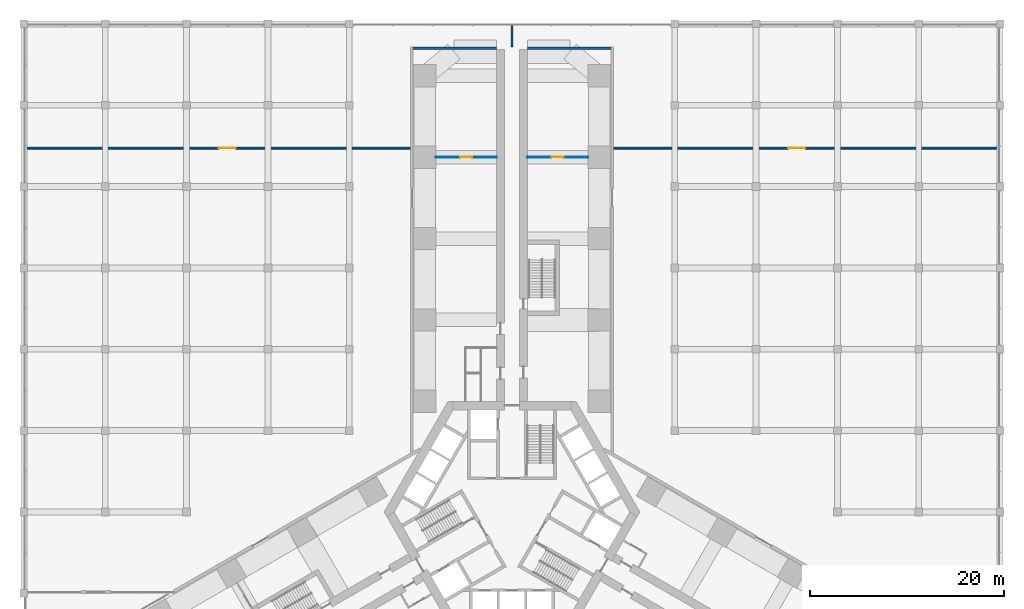
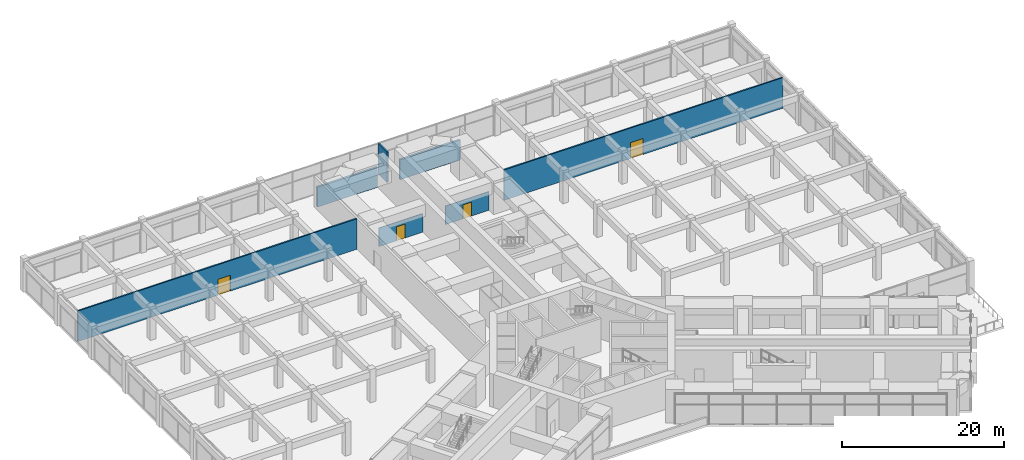
# One storey, part 31 of 33: 7 walls, 4 doors, 4 openings.
"""IFC4 building model written with IfcOpenShell, lengths in metres."""

from ifc_helpers import new_model, si_unit, direction, frame, frame_2d, origin, place, context, subcontext, project, spatial, rectangle, extrude, material, layer, layer_set, type_object, element, fill, save


model = new_model("IFC4")

# Units and contexts
model_context = context("Model", 3, precision=1e-05, world=origin(), true_north=direction((0.0, 1.0)))
body_context = subcontext(model_context, "Body", "Model", "MODEL_VIEW")
ifc_project = project(units=[si_unit("LENGTHUNIT", "METRE"), si_unit("AREAUNIT", "SQUARE_METRE"), si_unit("VOLUMEUNIT", "CUBIC_METRE"), si_unit("PLANEANGLEUNIT", "RADIAN"), si_unit("MASSUNIT", "GRAM", prefix="KILO")], contexts=[model_context])

# Site, building, storey
site_placement = place(None, origin())
site = spatial("IfcSite", under=ifc_project, at=site_placement, CompositionType="ELEMENT")
building_placement = place(site_placement, origin())
building = spatial("IfcBuilding", under=site, at=building_placement, Name="Impinga Residences", CompositionType="ELEMENT")
storey_placement = place(building_placement, frame((0.0, 0.0, 21.0)))
storey = spatial("IfcBuildingStorey", under=building, at=storey_placement, Name="L04", CompositionType="ELEMENT", Elevation=21.0)

# Wall, opening, door
ifc_material_1 = material(Name="Concrete blockwork", Category="masonry")
ifc_layer_1 = layer(ifc_material_1, 0.10009765625)
ifc_layer_set_1 = layer_set([ifc_layer_1], Name="CP1 core room partition, blockwork 100")
wall_type_1 = type_object("IfcWallType", Name="CP1 core room partition, blockwork 100", PredefinedType="PARTITIONING", material=ifc_layer_set_1)
wall_1_placement = place(storey_placement, frame((-1.60009765625, 36.631591796875, 0.0), z_axis=(0.0, 0.0, 1.0), x_axis=(-1.0, 0.0, 0.0)))
wall_1 = element("IfcWall", 1, at=wall_1_placement, inside=storey, type_object=wall_type_1, Name="Core room partition, blockwork L04-NA1:PS1", PredefinedType="PARTITIONING", context=body_context, shape_type="SweptSolid", body=[
    extrude(rectangle(XDim=6.25, YDim=0.10009765625, at=frame_2d((3.125, 0.0))), origin(), (0.0, 0.0, 1.0), 2.800048828125),
])
opening_1_placement = place(wall_1_placement, frame((2.52490234375, 0.0, 0.0)))
opening_1 = element("IfcOpeningElement", 2, at=opening_1_placement, cuts=wall_1, Name="Opening D3", PredefinedType="OPENING", context=body_context, shape_type="SweptSolid", body=[
    extrude(rectangle(XDim=1.199951171875, YDim=2.10009765625, at=frame_2d((0.60009765625, 1.050048828125))), frame((0.0, 0.06005859375, 0.0), z_axis=(0.0, -1.0, 0.0), x_axis=(1.0, 0.0, 0.0)), (0.0, 0.0, 1.0), 0.1201171875),
])
ifc_material_2 = material(Name="Timber door set", Category="wood")
door_type_1 = type_object("IfcDoorType", Name="D3 room door, leaf and a half 1200x2100", OperationType="DOUBLE_SWING_LEFT", PredefinedType="DOOR", material=ifc_material_2)
door_1_placement = place(opening_1_placement, origin())
door_1 = element("IfcDoor", 3, at=door_1_placement, inside=storey, type_object=door_type_1, Name="Private dining room door L04-NA1", OperationType="DOUBLE_SWING_LEFT", OverallHeight=2.10009765625, OverallWidth=1.199951171875, PredefinedType="DOOR", context=body_context, shape_type="SweptSolid", body=[
    extrude(rectangle(XDim=1.199951171875, YDim=2.10009765625, at=frame_2d((0.60009765625, 1.050048828125))), frame((0.0, 0.02490234375, 0.0), z_axis=(0.0, -1.0, 0.0), x_axis=(1.0, 0.0, 0.0)), (0.0, 0.0, 1.0), 0.050048828125),
])
fill(opening_1, door_1)

wall_2_placement = place(storey_placement, frame((1.60009765625, 36.631591796875, 0.0), z_axis=(0.0, 0.0, 1.0), x_axis=(1.0, 0.0, 0.0)))
wall_2 = element("IfcWall", 4, at=wall_2_placement, inside=storey, type_object=wall_type_1, Name="Core room partition, blockwork L04-NF1:PS1", PredefinedType="PARTITIONING", context=body_context, shape_type="SweptSolid", body=[
    extrude(rectangle(XDim=6.25, YDim=0.10009765625, at=frame_2d((3.125, 0.0))), origin(), (0.0, 0.0, 1.0), 2.800048828125),
])
opening_2_placement = place(wall_2_placement, frame((2.52490234375, 0.0, 0.0)))
opening_2 = element("IfcOpeningElement", 5, at=opening_2_placement, cuts=wall_2, Name="Opening D3", PredefinedType="OPENING", context=body_context, shape_type="SweptSolid", body=[
    extrude(rectangle(XDim=1.199951171875, YDim=2.10009765625, at=frame_2d((0.60009765625, 1.050048828125))), frame((0.0, 0.06005859375, 0.0), z_axis=(0.0, -1.0, 0.0), x_axis=(1.0, 0.0, 0.0)), (0.0, 0.0, 1.0), 0.1201171875),
])
door_2_placement = place(opening_2_placement, origin())
door_2 = element("IfcDoor", 6, at=door_2_placement, inside=storey, type_object=door_type_1, Name="Private dining room door L04-NF1", OperationType="DOUBLE_SWING_LEFT", OverallHeight=2.10009765625, OverallWidth=1.199951171875, PredefinedType="DOOR", context=body_context, shape_type="SweptSolid", body=[
    extrude(rectangle(XDim=1.199951171875, YDim=2.10009765625, at=frame_2d((0.60009765625, 1.050048828125))), frame((0.0, 0.02490234375, 0.0), z_axis=(0.0, -1.0, 0.0), x_axis=(1.0, 0.0, 0.0)), (0.0, 0.0, 1.0), 0.050048828125),
])
fill(opening_2, door_2)

# Wall
ifc_layer_2 = layer(ifc_material_1, 0.199951171875)
ifc_layer_set_2 = layer_set([ifc_layer_2], Name="PW2 podium compartment wall 200")
wall_type_2 = type_object("IfcWallType", Name="PW2 podium compartment wall 200", PredefinedType="SOLIDWALL", material=ifc_layer_set_2)
wall_3_placement = place(storey_placement, frame((0.0, 48.031494140625, 0.0), z_axis=(0.0, 0.0, 1.0), x_axis=(0.0, 1.0, 0.0)))
element("IfcWall", 7, at=wall_3_placement, inside=storey, type_object=wall_type_2, Name="Podium compartment wall L04:REG:N", PredefinedType="SOLIDWALL", context=body_context, shape_type="SweptSolid", body=[
    extrude(rectangle(XDim=2.175537109375, YDim=0.199951171875, at=frame_2d((1.087890625, 0.0))), origin(), (0.0, 0.0, 1.0), 4.60009765625),
])

# Wall, opening, door
wall_4_placement = place(storey_placement, frame((10.5, 37.56396484375, 0.0), z_axis=(0.0, 0.0, 1.0), x_axis=(1.0, 0.0, 0.0)))
wall_4 = element("IfcWall", 8, at=wall_4_placement, inside=storey, type_object=wall_type_2, Name="Podium compartment wall L04:REG:NE:SPLIT", PredefinedType="SOLIDWALL", context=body_context, shape_type="SweptSolid", body=[
    extrude(rectangle(XDim=39.737060546875, YDim=0.199951171875, at=frame_2d((19.86865234375, 0.0))), origin(), (0.0, 0.0, 1.0), 4.60009765625),
])
opening_3_placement = place(wall_4_placement, frame((18.0, 0.0, 0.0)))
opening_3 = element("IfcOpeningElement", 9, at=opening_3_placement, cuts=wall_4, Name="Opening D7", PredefinedType="OPENING", context=body_context, shape_type="SweptSolid", body=[
    extrude(rectangle(XDim=1.800048828125, YDim=2.39990234375, at=frame_2d((0.89990234375, 1.199951171875))), frame((0.0, 0.10986328125, 0.0), z_axis=(0.0, -1.0, 0.0), x_axis=(1.0, 0.0, 0.0)), (0.0, 0.0, 1.0), 0.219970703125),
])
door_type_2 = type_object("IfcDoorType", Name="D7 podium door pair 1800x2400", OperationType="DOUBLE_DOOR_DOUBLE_SWING", PredefinedType="DOOR", material=ifc_material_2)
door_3_placement = place(opening_3_placement, origin())
door_3 = element("IfcDoor", 10, at=door_3_placement, inside=storey, type_object=door_type_2, Name="Double door Residents' lounge", OperationType="DOUBLE_DOOR_DOUBLE_SWING", OverallHeight=2.39990234375, OverallWidth=1.800048828125, PredefinedType="DOOR", context=body_context, shape_type="SweptSolid", body=[
    extrude(rectangle(XDim=1.800048828125, YDim=2.39990234375, at=frame_2d((0.89990234375, 1.199951171875))), frame((0.0, 0.02490234375, 0.0), z_axis=(0.0, -1.0, 0.0), x_axis=(1.0, 0.0, 0.0)), (0.0, 0.0, 1.0), 0.050048828125),
])
fill(opening_3, door_3)

wall_5_placement = place(storey_placement, frame((-50.237060546875, 37.56396484375, 0.0), z_axis=(0.0, 0.0, 1.0), x_axis=(1.0, 0.0, 0.0)))
wall_5 = element("IfcWall", 11, at=wall_5_placement, inside=storey, type_object=wall_type_2, Name="Podium compartment wall L04:REG:NW:SPLIT", PredefinedType="SOLIDWALL", context=body_context, shape_type="SweptSolid", body=[
    extrude(rectangle(XDim=39.737060546875, YDim=0.199951171875, at=frame_2d((19.86865234375, 0.0))), origin(), (0.0, 0.0, 1.0), 4.60009765625),
])
opening_4_placement = place(wall_5_placement, frame((19.93701171875, 0.0, 0.0)))
opening_4 = element("IfcOpeningElement", 12, at=opening_4_placement, cuts=wall_5, Name="Opening D7", PredefinedType="OPENING", context=body_context, shape_type="SweptSolid", body=[
    extrude(rectangle(XDim=1.800048828125, YDim=2.39990234375, at=frame_2d((0.89990234375, 1.199951171875))), frame((0.0, 0.10986328125, 0.0), z_axis=(0.0, -1.0, 0.0), x_axis=(1.0, 0.0, 0.0)), (0.0, 0.0, 1.0), 0.219970703125),
])
door_4_placement = place(opening_4_placement, origin())
door_4 = element("IfcDoor", 13, at=door_4_placement, inside=storey, type_object=door_type_2, Name="Double door Games room", OperationType="DOUBLE_DOOR_DOUBLE_SWING", OverallHeight=2.39990234375, OverallWidth=1.800048828125, PredefinedType="DOOR", context=body_context, shape_type="SweptSolid", body=[
    extrude(rectangle(XDim=1.800048828125, YDim=2.39990234375, at=frame_2d((0.89990234375, 1.199951171875))), frame((0.0, 0.02490234375, 0.0), z_axis=(0.0, -1.0, 0.0), x_axis=(1.0, 0.0, 0.0)), (0.0, 0.0, 1.0), 0.050048828125),
])
fill(opening_4, door_4)

# Walls
ifc_layer_3 = layer(ifc_material_1, 0.300048828125)
ifc_layer_set_3 = layer_set([ifc_layer_3], Name="PW3 podium wall on the wing face 300")
wall_type_3 = type_object("IfcWallType", Name="PW3 podium wall on the wing face 300", PredefinedType="SOLIDWALL", material=ifc_layer_set_3)
for number, where, z_axis, x_axis, name in (
    (14, (-1.60009765625, 47.881591796875, 0.0), (0.0, 0.0, 1.0), (-1.0, 0.0, 0.0), "Podium wall on the wing face L04:END:NA"),
    (15, (1.60009765625, 47.881591796875, 0.0), (0.0, 0.0, 1.0), (1.0, 0.0, 0.0), "Podium wall on the wing face L04:END:NF"),
):
    element("IfcWall", number, at=place(storey_placement, frame(where, z_axis=z_axis, x_axis=x_axis)), inside=storey, type_object=wall_type_3, Name=name, PredefinedType="SOLIDWALL", context=body_context, shape_type="SweptSolid", body=[
        extrude(rectangle(XDim=8.599853515625, YDim=0.300048828125, at=frame_2d((4.2998046875, 0.0))), origin(), (0.0, 0.0, 1.0), 3.0),
    ])

save(model, "model.ifc")
